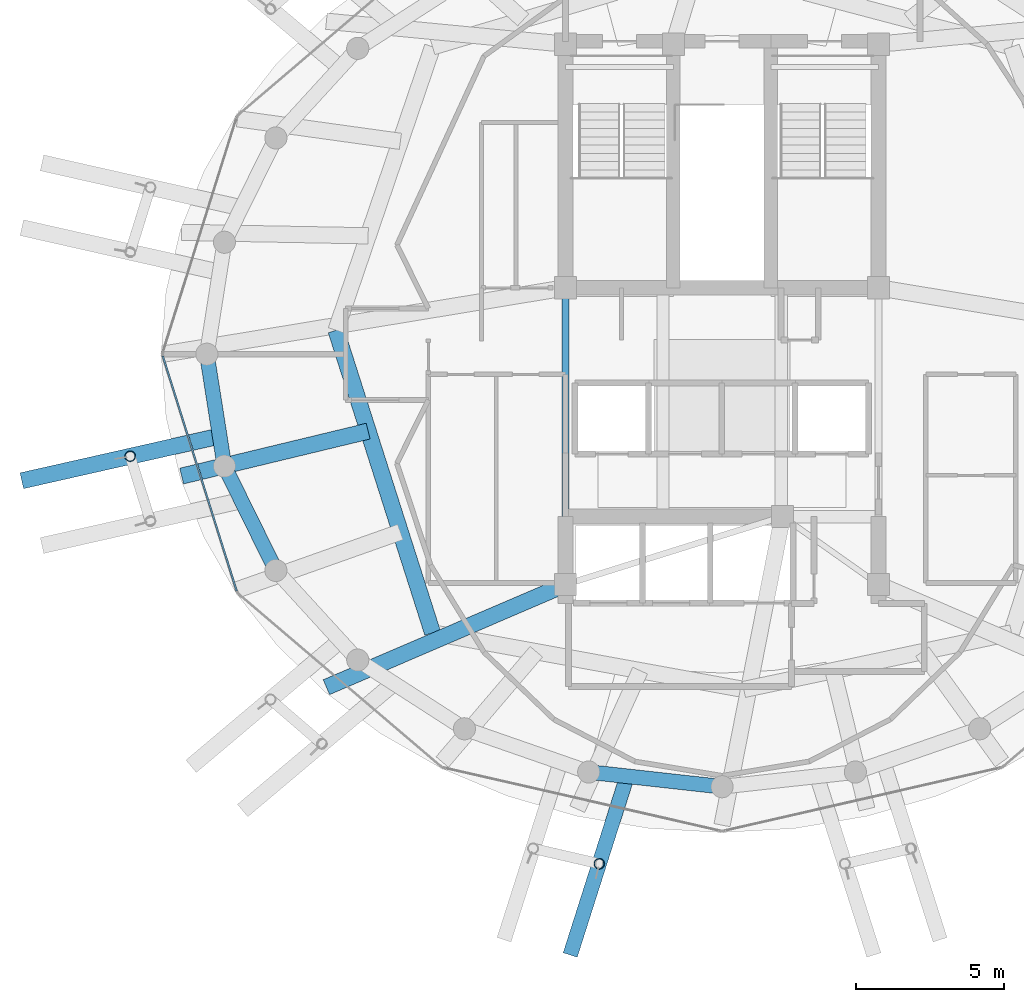
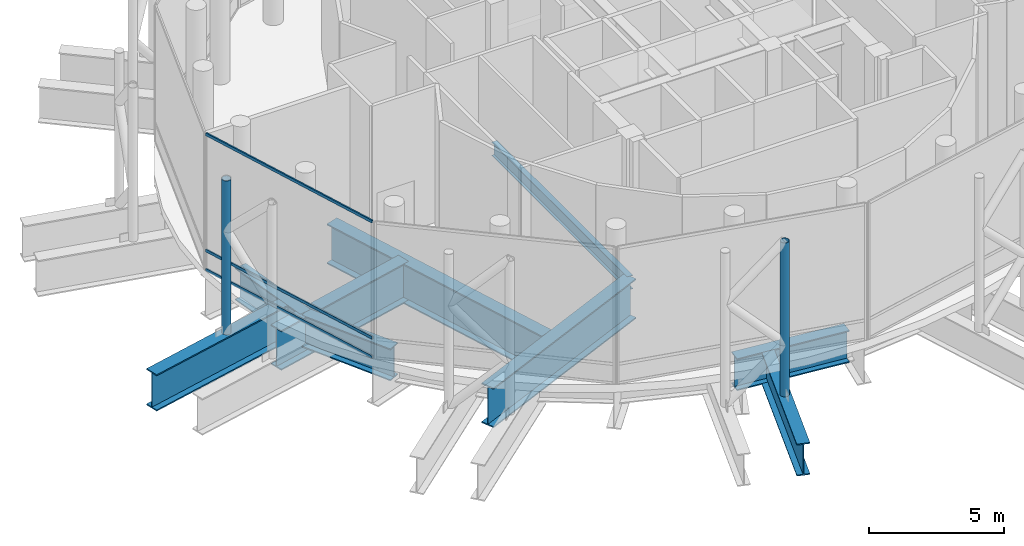
# One storey, part 5 of 26: 9 beams, 5 members, 1 element without a shape of its own.
"""IFC4 building model written with IfcOpenShell, lengths in metres."""

from ifc_helpers import new_model, si_unit, direction, frame, origin, origin_2d, place, context, subcontext, project, spatial, hollow_rectangle, hollow_circle, i_section, extrude, material, layer, layer_set, material_profile, profile_set, type_object, element, aggregate, save


model = new_model("IFC4")

# Units and contexts
model_context = context("Model", 3, precision=1e-05, world=origin(), true_north=direction((0.0, 1.0)))
body_context = subcontext(model_context, "Body", "Model", "MODEL_VIEW")
ifc_project = project(units=[si_unit("LENGTHUNIT", "METRE"), si_unit("AREAUNIT", "SQUARE_METRE"), si_unit("VOLUMEUNIT", "CUBIC_METRE"), si_unit("PLANEANGLEUNIT", "RADIAN"), si_unit("MASSUNIT", "GRAM", prefix="KILO")], contexts=[model_context])

# Site, building, storey
site_placement = place(None, origin())
site = spatial("IfcSite", under=ifc_project, at=site_placement, CompositionType="ELEMENT")
building_placement = place(site_placement, origin())
building = spatial("IfcBuilding", under=site, at=building_placement, Name="Nuhasar Tower", CompositionType="ELEMENT")
storey_placement = place(building_placement, frame((0.0, 0.0, 306.800048828125)))
storey = spatial("IfcBuildingStorey", under=building, at=storey_placement, Name="L76", CompositionType="ELEMENT", Elevation=306.800048828125)

# Beams
ifc_material_1 = material(Name="Steel S355", Category="steel")
ifc_material_profile_1 = material_profile(ifc_material_1, i_section(OverallWidth=0.22900390625, OverallDepth=0.612060546875, WebThickness=0.011962890625, FlangeThickness=0.01953125, at=origin_2d()), Name="W24X84")
ifc_profile_set_1 = profile_set([ifc_material_profile_1], Name="Steel S355")
beam_type_1 = type_object("IfcBeamType", Name="BM-RAD-W24X84", PredefinedType="BEAM", material=ifc_profile_set_1)
beam_1_placement = place(storey_placement, frame((33.699951171875, 29.050048828125, -0.656005859375), z_axis=(0.0, -1.0, 0.0), x_axis=(1.0, 0.0, 0.0)))
element("IfcBeam", 1, at=beam_1_placement, inside=storey, type_object=beam_type_1, Name="L76 Core Ring Girder 8", PredefinedType="BEAM", context=body_context, shape_type="SweptSolid", body=[
    extrude(i_section(OverallWidth=0.22900390625, OverallDepth=0.612060546875, WebThickness=0.011962890625, FlangeThickness=0.01953125, at=origin_2d()), origin(), (0.0, 0.0, 1.0), 10.050048828125),
])
ifc_material_2 = material(Name="Steel S460", Category="steel")
ifc_material_profile_2 = material_profile(ifc_material_2, i_section(OverallWidth=0.5, OverallDepth=1.449951171875, WebThickness=0.028076171875, FlangeThickness=0.050048828125, at=origin_2d()), Name="PG1450X500")
ifc_profile_set_2 = profile_set([ifc_material_profile_2], Name="Steel S460")
beam_type_2 = type_object("IfcBeamType", Name="BM-XFER-PG1450", PredefinedType="USERDEFINED", material=ifc_profile_set_2)
beam_2_placement = place(storey_placement, frame((21.550048828125, 26.800048828125, -1.074951171875), z_axis=(0.155005502158, -0.987913606699, 0.0), x_axis=(0.987913606699, 0.155005502158, 0.0)))
element("IfcBeam", 2, at=beam_2_placement, inside=storey, type_object=beam_type_2, Name="L76 Perimeter Ring Spandrel 13", ObjectType="GIRDER", PredefinedType="USERDEFINED", context=body_context, shape_type="SweptSolid", body=[
    extrude(i_section(OverallWidth=0.5, OverallDepth=1.449951171875, WebThickness=0.028076171875, FlangeThickness=0.050048828125, at=origin_2d()), origin(), (0.0, 0.0, 1.0), 3.83837890625),
])
beam_3_placement = place(storey_placement, frame((22.14501953125, 23.008056640625, -1.074951171875), z_axis=(0.442422907363, -0.896806540476, 0.0), x_axis=(0.896806540476, 0.442422907363, 0.0)))
element("IfcBeam", 3, at=beam_3_placement, inside=storey, type_object=beam_type_2, Name="L76 Perimeter Ring Spandrel 14", ObjectType="GIRDER", PredefinedType="USERDEFINED", context=body_context, shape_type="SweptSolid", body=[
    extrude(i_section(OverallWidth=0.5, OverallDepth=1.449951171875, WebThickness=0.028076171875, FlangeThickness=0.050048828125, at=origin_2d()), origin(), (0.0, 0.0, 1.0), 3.939453125),
])
beam_4_placement = place(storey_placement, frame((34.48388671875, 12.64892578125, -1.074951171875), z_axis=(0.993950391063, -0.10982995996, 0.0), x_axis=(0.10982995996, 0.993950391063, 0.0)))
element("IfcBeam", 4, at=beam_4_placement, inside=storey, type_object=beam_type_2, Name="L76 Perimeter Ring Spandrel 18", ObjectType="GIRDER", PredefinedType="USERDEFINED", context=body_context, shape_type="SweptSolid", body=[
    extrude(i_section(OverallWidth=0.5, OverallDepth=1.449951171875, WebThickness=0.028076171875, FlangeThickness=0.050048828125, at=origin_2d()), origin(), (0.0, 0.0, 1.0), 4.543701171875),
])
beam_5_placement = place(storey_placement, frame((35.784912109375, 12.5048828125, -1.074951171875), z_axis=(-0.30344948656, -0.952847526683, 0.0), x_axis=(0.952847526683, -0.30344948656, 0.0)))
element("IfcBeam", 5, at=beam_5_placement, inside=storey, type_object=beam_type_2, Name="L76 Exoskeleton Step Transfer Girder 18", ObjectType="GIRDER", PredefinedType="USERDEFINED", context=body_context, shape_type="SweptSolid", body=[
    extrude(i_section(OverallWidth=0.5, OverallDepth=1.449951171875, WebThickness=0.028076171875, FlangeThickness=0.050048828125, at=origin_2d()), origin(), (0.0, 0.0, 1.0), 6.353515625),
])
ifc_material_profile_3 = material_profile(ifc_material_2, i_section(OverallWidth=0.550048828125, OverallDepth=1.64990234375, WebThickness=0.031982421875, FlangeThickness=0.054931640625, at=origin_2d()), Name="PG1650X550")
ifc_profile_set_3 = profile_set([ifc_material_profile_3], Name="Steel S460")
beam_type_3 = type_object("IfcBeamType", Name="BM-XFER-PG1650", PredefinedType="USERDEFINED", material=ifc_profile_set_3)
beam_6_placement = place(storey_placement, frame((21.985107421875, 24.027099609375, -1.175048828125), z_axis=(-0.975454296874, -0.220201986161, 0.0), x_axis=(0.220201986161, -0.975454296874, 0.0)))
element("IfcBeam", 6, at=beam_6_placement, inside=storey, type_object=beam_type_3, Name="L76 Exoskeleton Step Transfer Girder 13", ObjectType="GIRDER", PredefinedType="USERDEFINED", context=body_context, shape_type="SweptSolid", body=[
    extrude(i_section(OverallWidth=0.550048828125, OverallDepth=1.64990234375, WebThickness=0.031982421875, FlangeThickness=0.054931640625, at=origin_2d()), origin(), (0.0, 0.0, 1.0), 6.871826171875),
])
ifc_material_profile_4 = material_profile(ifc_material_2, i_section(OverallWidth=0.550048828125, OverallDepth=1.800048828125, WebThickness=0.031982421875, FlangeThickness=0.054931640625, at=origin_2d()), Name="PG1800X550")
ifc_profile_set_4 = profile_set([ifc_material_profile_4], Name="Steel S460")
beam_type_4 = type_object("IfcBeamType", Name="BM-XFER-PG1800", PredefinedType="USERDEFINED", material=ifc_profile_set_4)
beam_7_placement = place(storey_placement, frame((33.699951171875, 19.0, -1.25), z_axis=(-0.91887119061, -0.394557644797, 0.0), x_axis=(0.394557644797, -0.91887119061, 0.0)))
element("IfcBeam", 7, at=beam_7_placement, inside=storey, type_object=beam_type_4, Name="L76 Radial Floor Girder 01", ObjectType="GIRDER", PredefinedType="USERDEFINED", context=body_context, shape_type="SweptSolid", body=[
    extrude(i_section(OverallWidth=0.550048828125, OverallDepth=1.800048828125, WebThickness=0.031982421875, FlangeThickness=0.054931640625, at=origin_2d()), origin(), (0.0, 0.0, 1.0), 8.81494140625),
])
beam_8_placement = place(storey_placement, frame((25.924072265625, 27.610107421875, -1.25), z_axis=(0.304069097332, -0.952649979818, 0.0), x_axis=(0.952649979818, 0.304069097332, 0.0)))
element("IfcBeam", 8, at=beam_8_placement, inside=storey, type_object=beam_type_4, Name="L76 Inner Header Beam 08", ObjectType="GIRDER", PredefinedType="USERDEFINED", context=body_context, shape_type="SweptSolid", body=[
    extrude(i_section(OverallWidth=0.550048828125, OverallDepth=1.800048828125, WebThickness=0.031982421875, FlangeThickness=0.054931640625, at=origin_2d()), origin(), (0.0, 0.0, 1.0), 10.75732421875),
])
beam_9_placement = place(storey_placement, frame((27.013916015625, 24.194091796875, -1.25), z_axis=(-0.97218848141, -0.234199821977, 0.0), x_axis=(0.234199821977, -0.97218848141, 0.0)))
element("IfcBeam", 9, at=beam_9_placement, inside=storey, type_object=beam_type_4, Name="L76 Inner Column Transfer Girder 14", ObjectType="GIRDER", PredefinedType="USERDEFINED", context=body_context, shape_type="SweptSolid", body=[
    extrude(i_section(OverallWidth=0.550048828125, OverallDepth=1.800048828125, WebThickness=0.031982421875, FlangeThickness=0.054931640625, at=origin_2d()), origin(), (0.0, 0.0, 1.0), 6.49853515625),
])

# Curtain wall, members
ifc_material_3 = material(Name="Aluminium 6063-T6", Category="aluminium")
ifc_layer = layer(ifc_material_3, 0.239990234375)
ifc_layer_set = layer_set([ifc_layer], Name="Aluminium 6063-T6")
curtain_wall_type = type_object("IfcCurtainWallType", Name="CW-SKY-LBY", PredefinedType="NOTDEFINED", material=ifc_layer_set)
curtain_wall_placement = place(storey_placement, origin())
curtain_wall = element("IfcCurtainWall", 10, at=curtain_wall_placement, inside=storey, type_object=curtain_wall_type, Name="L76 Unitised Curtain Wall 07", PredefinedType="NOTDEFINED")
ifc_material_profile_5 = material_profile(ifc_material_3, hollow_rectangle(XDim=0.06005859375, YDim=0.1298828125, WallThickness=0.00439453125, at=origin_2d()), Name="CWT-6")
ifc_profile_set_5 = profile_set([ifc_material_profile_5], Name="Aluminium 6063-T6")
member_type_1 = type_object("IfcMemberType", Name="CW-TRN-S6", PredefinedType="USERDEFINED", material=ifc_profile_set_5)
member_1_placement = place(storey_placement, frame((20.05810546875, 26.74267578125, 0.030029296875), z_axis=(0.299882859925, -0.953976032363, 0.0), x_axis=(0.953976032363, 0.299882859925, 0.0)))
member_1 = element("IfcMember", 11, at=member_1_placement, type_object=member_type_1, Name="CW-SL transom 1.1", ObjectType="TRANSOM", PredefinedType="USERDEFINED", context=body_context, shape_type="SweptSolid", body=[
    extrude(hollow_rectangle(XDim=0.06005859375, YDim=0.1298828125, WallThickness=0.00439453125, at=origin_2d()), origin(), (0.0, 0.0, 1.0), 8.349609375),
])
member_2_placement = place(storey_placement, frame((20.05810546875, 26.74267578125, 0.89990234375), z_axis=(0.299882859925, -0.953976032363, 0.0), x_axis=(0.953976032363, 0.299882859925, 0.0)))
member_2 = element("IfcMember", 12, at=member_2_placement, type_object=member_type_1, Name="CW-SL transom 1.2", ObjectType="TRANSOM", PredefinedType="USERDEFINED", context=body_context, shape_type="SweptSolid", body=[
    extrude(hollow_rectangle(XDim=0.06005859375, YDim=0.1298828125, WallThickness=0.00439453125, at=origin_2d()), origin(), (0.0, 0.0, 1.0), 8.349609375),
])
member_3_placement = place(storey_placement, frame((20.05810546875, 26.74267578125, 6.14990234375), z_axis=(0.299882859925, -0.953976032363, 0.0), x_axis=(0.953976032363, 0.299882859925, 0.0)))
member_3 = element("IfcMember", 13, at=member_3_placement, type_object=member_type_1, Name="CW-SL transom 1.3", ObjectType="TRANSOM", PredefinedType="USERDEFINED", context=body_context, shape_type="SweptSolid", body=[
    extrude(hollow_rectangle(XDim=0.06005859375, YDim=0.1298828125, WallThickness=0.00439453125, at=origin_2d()), origin(), (0.0, 0.0, 1.0), 8.349609375),
])
aggregate(curtain_wall, [member_1, member_2, member_3])

# Members
ifc_material_profile_6 = material_profile(ifc_material_2, hollow_circle(Radius=0.177734375, WallThickness=0.015869140625, at=origin_2d()), Name="HSS355.6X15.9")
ifc_profile_set_6 = profile_set([ifc_material_profile_6], Name="Steel S460")
member_type_2 = type_object("IfcMemberType", Name="EXO-BRONZE-356", PredefinedType="BRACE", material=ifc_profile_set_6)
for number, where, z_axis, x_axis, name in (
    (14, (18.9541015625, 23.343017578125, -0.35009765625), (0.0, 0.0, 1.0), (1.0, 0.0, 0.0), "L76 Exoskeleton Chord Column EC-07A"),
    (15, (34.841064453125, 9.541015625, -0.35009765625), (0.0, 0.0, 1.0), (1.0, 0.0, 0.0), "L76 Exoskeleton Chord Column EC-09B"),
):
    element("IfcMember", number, at=place(storey_placement, frame(where, z_axis=z_axis, x_axis=x_axis)), inside=storey, type_object=member_type_2, Name=name, PredefinedType="BRACE", context=body_context, shape_type="SweptSolid", body=[
        extrude(hollow_circle(Radius=0.177734375, WallThickness=0.015869140625, at=origin_2d()), origin(), (0.0, 0.0, 1.0), 6.949951171875),
    ])

save(model, "model.ifc")
